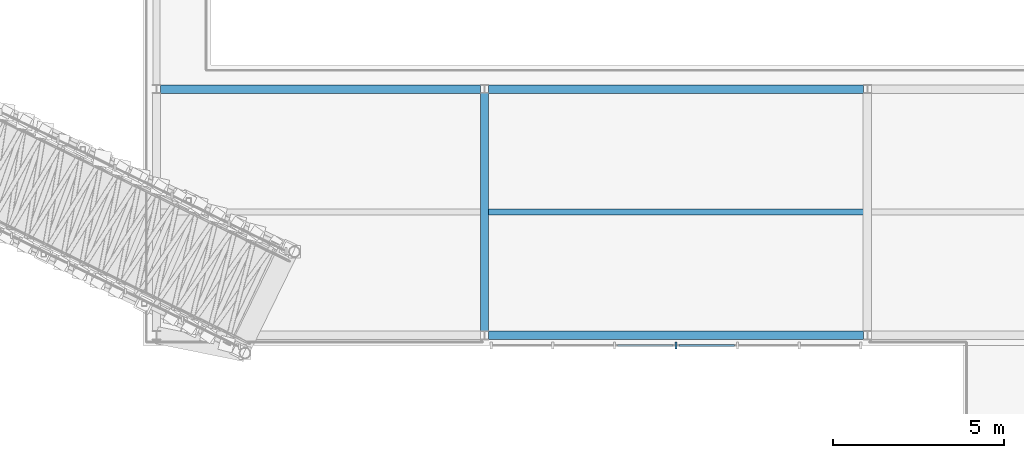
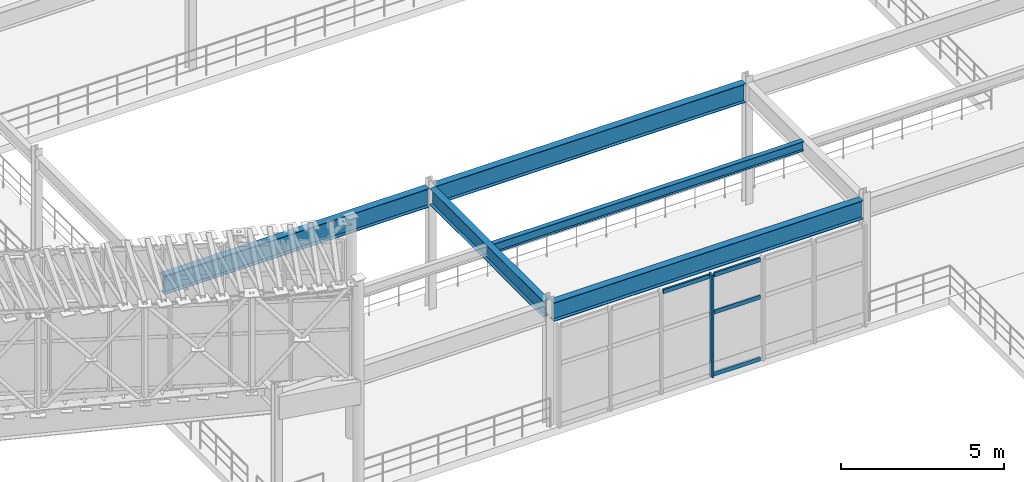
# One storey, part 67 of 144: 5 beams, 5 members, 1 element without a shape of its own.
"""IFC4 building model written with IfcOpenShell, lengths in metres."""

from ifc_helpers import new_model, si_unit, direction, frame, origin, origin_2d, place, context, subcontext, project, spatial, rectangle, i_section, extrude, material, material_profile, profile_set, type_object, element, aggregate, save


model = new_model("IFC4")

# Units and contexts
model_context = context("Model", 3, precision=1e-05, world=origin(), true_north=direction((0.0, 1.0)))
body_context = subcontext(model_context, "Body", "Model", "MODEL_VIEW")
ifc_project = project(units=[si_unit("LENGTHUNIT", "METRE"), si_unit("AREAUNIT", "SQUARE_METRE"), si_unit("VOLUMEUNIT", "CUBIC_METRE"), si_unit("PLANEANGLEUNIT", "RADIAN"), si_unit("MASSUNIT", "GRAM", prefix="KILO")], contexts=[model_context])

# Site, building, storey
site_placement = place(None, origin())
site = spatial("IfcSite", under=ifc_project, at=site_placement, CompositionType="ELEMENT")
building_placement = place(site_placement, origin())
building = spatial("IfcBuilding", under=site, at=building_placement, Name="Cinderbank Siding Concert Hall", CompositionType="ELEMENT")
storey_placement = place(building_placement, frame((0.0, 0.0, 5.39990234375)))
storey = spatial("IfcBuildingStorey", under=building, at=storey_placement, Name="L02", CompositionType="ELEMENT", Elevation=5.39990234375)

# Beams
ifc_material_1 = material(Name="Structural steel AS/NZS 3679.1 Grade 350 (340 MPa)", Category="steel")
ifc_material_profile_1 = material_profile(ifc_material_1, i_section(OverallWidth=0.22802734375, OverallDepth=0.602294921875, WebThickness=0.010498046875, FlangeThickness=0.014892578125, at=origin_2d()), Name="610UB101", Category="LoadBearing")
ifc_profile_set_1 = profile_set([ifc_material_profile_1], Name="Structural steel AS/NZS 3679.1 Grade 350 (340 MPa)")
beam_type_1 = type_object("IfcBeamType", Name="BM-UB610 610UB101", PredefinedType="BEAM", material=ifc_profile_set_1)
beam_1_placement = place(storey_placement, frame((128.0, 88.719970703125, 4.240966796875), z_axis=(0.0, 1.0, 0.0), x_axis=(-1.0, 0.0, 0.0)))
element("IfcBeam", 1, at=beam_1_placement, inside=storey, type_object=beam_type_1, Name="L02 Beam BM-UB610 #1537", PredefinedType="BEAM", context=body_context, shape_type="SweptSolid", body=[
    extrude(i_section(OverallWidth=0.22802734375, OverallDepth=0.602294921875, WebThickness=0.010498046875, FlangeThickness=0.014892578125, at=origin_2d()), origin(), (0.0, 0.0, 1.0), 6.9599609375),
])
ifc_material_2 = material(Name="Structural steel welded plate section AS/NZS 3679.2 / AS/NZS 3678 Grade 350 (340 MPa)", Category="steel")
ifc_material_profile_2 = material_profile(ifc_material_2, i_section(OverallWidth=0.25, OverallDepth=0.699951171875, WebThickness=0.010009765625, FlangeThickness=0.01611328125, at=origin_2d()), Name="700WB130", Category="LoadBearing")
ifc_profile_set_2 = profile_set([ifc_material_profile_2], Name="Structural steel welded plate section AS/NZS 3679.2 / AS/NZS 3678 Grade 350 (340 MPa)")
beam_type_2 = type_object("IfcBeamType", Name="BM-WB700 700WB130", PredefinedType="BEAM", material=ifc_profile_set_2)
beam_2_placement = place(storey_placement, frame((118.52001953125, 95.800048828125, 4.192138671875), z_axis=(1.0, 0.0, 0.0), x_axis=(0.0, 1.0, 0.0)))
element("IfcBeam", 2, at=beam_2_placement, inside=storey, type_object=beam_type_2, Name="L02 Beam BM-WB700 #1530", PredefinedType="BEAM", context=body_context, shape_type="SweptSolid", body=[
    extrude(i_section(OverallWidth=0.25, OverallDepth=0.699951171875, WebThickness=0.010009765625, FlangeThickness=0.01611328125, at=origin_2d()), origin(), (0.0, 0.0, 1.0), 9.35986328125),
])
for number, where, z_axis, x_axis, name in (
    (3, (128.1201171875, 88.60009765625, 4.192138671875), (1.0, 0.0, 0.0), (0.0, 1.0, 0.0), "L02 Beam BM-WB700 #1536"),
    (4, (128.1201171875, 95.800048828125, 4.192138671875), (1.0, 0.0, 0.0), (0.0, 1.0, 0.0), "L02 Beam BM-WB700 #1538"),
):
    element("IfcBeam", number, at=place(storey_placement, frame(where, z_axis=z_axis, x_axis=x_axis)), inside=storey, type_object=beam_type_2, Name=name, PredefinedType="BEAM", context=body_context, shape_type="SweptSolid", body=[
        extrude(i_section(OverallWidth=0.25, OverallDepth=0.699951171875, WebThickness=0.010009765625, FlangeThickness=0.01611328125, at=origin_2d()), origin(), (0.0, 0.0, 1.0), 10.9599609375),
    ])

# Curtain wall, members
ifc_material_3 = material(Name="Anodised aluminium alloy 6063-T6", Category="aluminium")
curtain_wall_type = type_object("IfcCurtainWallType", Name="CW-16 Unitised Acoustic Curtain Wall 9200x3800", PredefinedType="NOTDEFINED", material=ifc_material_3)
curtain_wall_placement = place(storey_placement, origin())
curtain_wall = element("IfcCurtainWall", 5, at=curtain_wall_placement, inside=storey, type_object=curtain_wall_type, Name="L02 Curtain Wall CW-16 #151", PredefinedType="NOTDEFINED")
ifc_material_profile_3 = material_profile(ifc_material_3, rectangle(XDim=0.06494140625, YDim=0.199951171875, at=origin_2d()), Name="ALU-MULL-65x200", Category="LoadBearing")
ifc_profile_set_3 = profile_set([ifc_material_profile_3], Name="Anodised aluminium alloy 6063-T6")
member_type_1 = type_object("IfcMemberType", Name="CW-ML2 Mullion 65x200", PredefinedType="MULLION", material=ifc_profile_set_3)
member_1_placement = place(storey_placement, frame((133.60009765625, 88.300048828125, 0.0), z_axis=(0.0, 0.0, 1.0), x_axis=(1.0, 0.0, 0.0)))
member_1 = element("IfcMember", 6, at=member_1_placement, type_object=member_type_1, Name="CW-L02-151 Mullion 3", PredefinedType="MULLION", context=body_context, shape_type="SweptSolid", body=[
    extrude(rectangle(XDim=0.06494140625, YDim=0.199951171875, at=origin_2d()), origin(), (0.0, 0.0, 1.0), 3.8271484375),
])
ifc_material_profile_4 = material_profile(ifc_material_3, rectangle(XDim=0.06494140625, YDim=0.14990234375, at=origin_2d()), Name="ALU-TRAN-65x150", Category="LoadBearing")
ifc_profile_set_4 = profile_set([ifc_material_profile_4], Name="Anodised aluminium alloy 6063-T6")
member_type_2 = type_object("IfcMemberType", Name="CW-TR2 Transom 65x150", PredefinedType="USERDEFINED", material=ifc_profile_set_4)
member_2_placement = place(storey_placement, frame((131.8876953125, 88.300048828125, 3.76708984375), z_axis=(1.0, 0.0, 0.0), x_axis=(0.0, 1.0, 0.0)))
member_2 = element("IfcMember", 7, at=member_2_placement, type_object=member_type_2, Name="CW-L02-151 Transom 2-2", ObjectType="TRANSOM", PredefinedType="USERDEFINED", context=body_context, shape_type="SweptSolid", body=[
    extrude(rectangle(XDim=0.06494140625, YDim=0.14990234375, at=origin_2d()), origin(), (0.0, 0.0, 1.0), 1.622314453125),
])
member_3_placement = place(storey_placement, frame((133.690185546875, 88.300048828125, 0.06005859375), z_axis=(1.0, 0.0, 0.0), x_axis=(0.0, 1.0, 0.0)))
member_3 = element("IfcMember", 8, at=member_3_placement, type_object=member_type_2, Name="CW-L02-151 Transom 3-0", ObjectType="TRANSOM", PredefinedType="USERDEFINED", context=body_context, shape_type="SweptSolid", body=[
    extrude(rectangle(XDim=0.06494140625, YDim=0.14990234375, at=origin_2d()), origin(), (0.0, 0.0, 1.0), 1.6220703125),
])
member_4_placement = place(storey_placement, frame((133.690185546875, 88.300048828125, 2.372802734375), z_axis=(1.0, 0.0, 0.0), x_axis=(0.0, 1.0, 0.0)))
member_4 = element("IfcMember", 9, at=member_4_placement, type_object=member_type_2, Name="CW-L02-151 Transom 3-1", ObjectType="TRANSOM", PredefinedType="USERDEFINED", context=body_context, shape_type="SweptSolid", body=[
    extrude(rectangle(XDim=0.06494140625, YDim=0.14990234375, at=origin_2d()), origin(), (0.0, 0.0, 1.0), 1.6220703125),
])
member_5_placement = place(storey_placement, frame((133.690185546875, 88.300048828125, 3.76708984375), z_axis=(1.0, 0.0, 0.0), x_axis=(0.0, 1.0, 0.0)))
member_5 = element("IfcMember", 10, at=member_5_placement, type_object=member_type_2, Name="CW-L02-151 Transom 3-2", ObjectType="TRANSOM", PredefinedType="USERDEFINED", context=body_context, shape_type="SweptSolid", body=[
    extrude(rectangle(XDim=0.06494140625, YDim=0.14990234375, at=origin_2d()), origin(), (0.0, 0.0, 1.0), 1.6220703125),
])
aggregate(curtain_wall, [member_1, member_2, member_3, member_4, member_5])

# Beam
ifc_material_profile_5 = material_profile(ifc_material_1, i_section(OverallWidth=0.1708984375, OverallDepth=0.35205078125, WebThickness=0.0068359375, FlangeThickness=0.009765625, at=origin_2d()), Name="360UB44.7", Category="LoadBearing")
ifc_profile_set_5 = profile_set([ifc_material_profile_5], Name="Structural steel AS/NZS 3679.1 Grade 350 (340 MPa)")
beam_type_3 = type_object("IfcBeamType", Name="JS-UB360 360UB44.7", PredefinedType="JOIST", material=ifc_profile_set_5)
beam_3_placement = place(storey_placement, frame((128.10595703125, 92.199951171875, 4.3662109375), z_axis=(1.0, 0.0, 0.0), x_axis=(0.0, 1.0, 0.0)))
element("IfcBeam", 11, at=beam_3_placement, inside=storey, type_object=beam_type_3, Name="L02 Beam JS-UB360 #1668", PredefinedType="JOIST", context=body_context, shape_type="SweptSolid", body=[
    extrude(i_section(OverallWidth=0.1708984375, OverallDepth=0.35205078125, WebThickness=0.0068359375, FlangeThickness=0.009765625, at=origin_2d()), origin(), (0.0, 0.0, 1.0), 10.97705078125),
])

save(model, "model.ifc")
